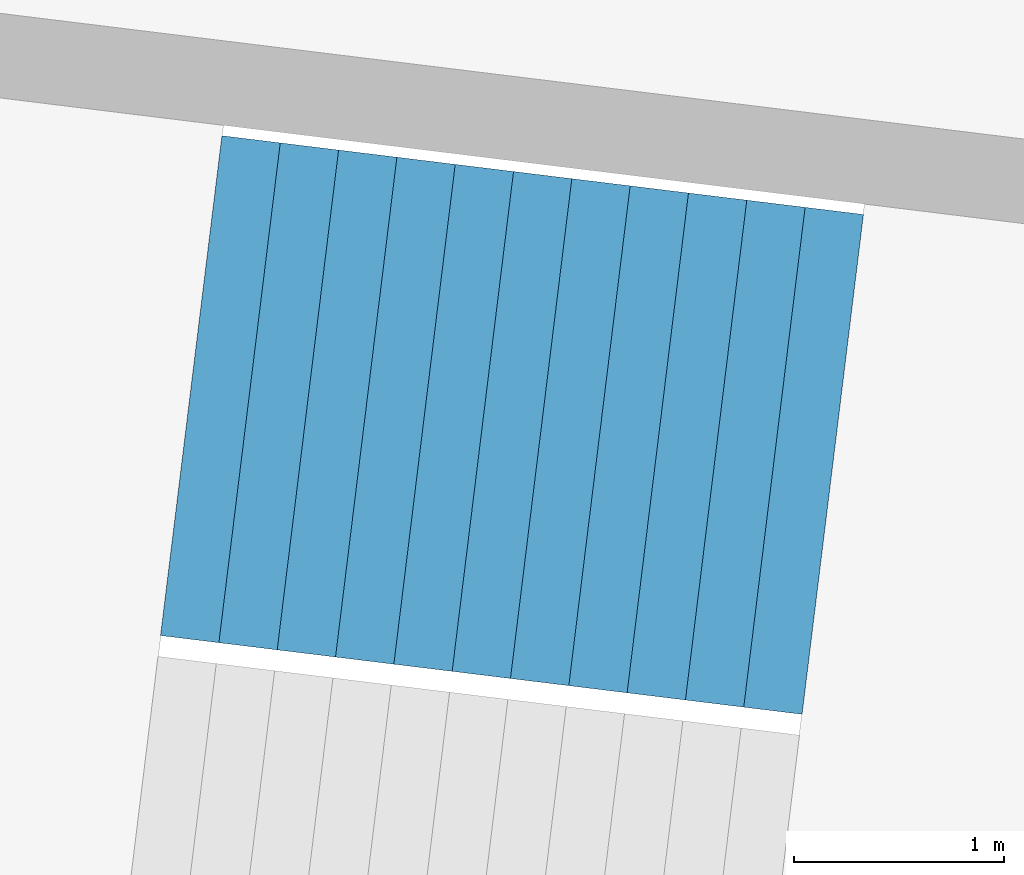
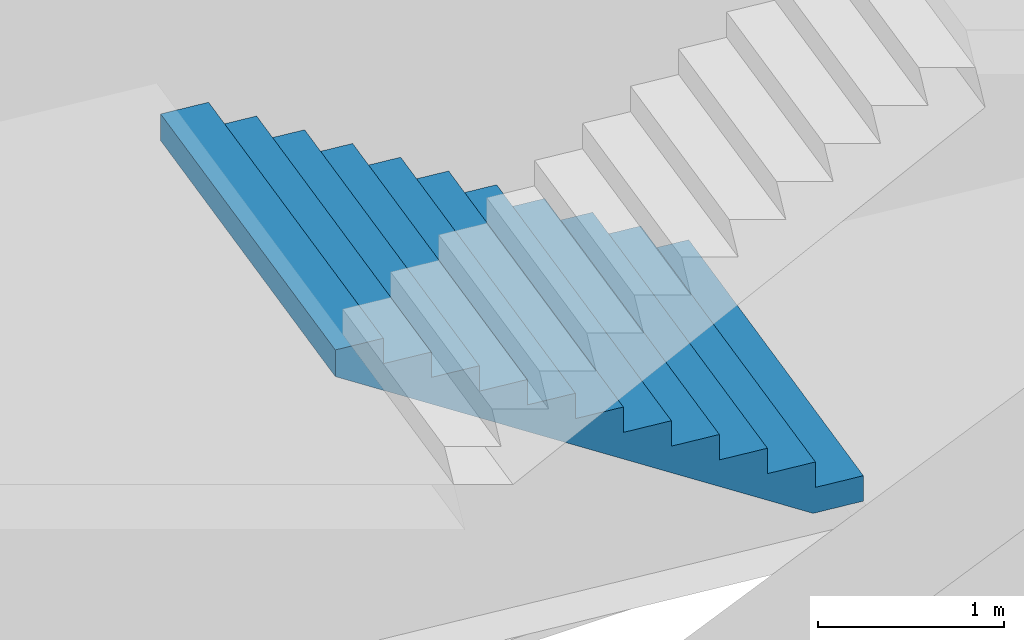
# One storey, part 56 of 74: 1 stair flight, 1 element without a shape of its own.
"""IFC4 building model written with IfcOpenShell, lengths in metres."""

from ifc_helpers import new_model, si_unit, direction, frame, origin, place, context, subcontext, project, spatial, triangles, material, type_object, element, aggregate, save


model = new_model("IFC4")

# Units and contexts
model_context = context("Model", 3, precision=1e-05, world=origin(), true_north=direction((0.0, 1.0)))
body_context = subcontext(model_context, "Body", "Model", "MODEL_VIEW")
ifc_project = project(units=[si_unit("LENGTHUNIT", "METRE"), si_unit("AREAUNIT", "SQUARE_METRE"), si_unit("VOLUMEUNIT", "CUBIC_METRE"), si_unit("PLANEANGLEUNIT", "RADIAN"), si_unit("MASSUNIT", "GRAM", prefix="KILO")], contexts=[model_context])

# Site, building, storey
site_placement = place(None, origin())
site = spatial("IfcSite", under=ifc_project, at=site_placement, CompositionType="ELEMENT")
building_placement = place(site_placement, origin())
building = spatial("IfcBuilding", under=site, at=building_placement, Name="Lantaw Convention Tower", CompositionType="ELEMENT")
storey_placement = place(building_placement, frame((0.0, 0.0, 6.5)))
storey = spatial("IfcBuildingStorey", under=building, at=storey_placement, Name="L01", CompositionType="ELEMENT", Elevation=6.5)

# Stair, stair flight
ifc_material = material(Name="Concrete C35/45", Category="concrete")
stair_type = type_object("IfcStairType", Name="Exit stair 2400 riser 166.67 in 4 flights", PredefinedType="HALF_TURN_STAIR", material=ifc_material)
stair_placement = place(storey_placement, origin())
stair = element("IfcStair", 1, at=stair_placement, inside=storey, type_object=stair_type, Name="Podium exit stair P13 L01", PredefinedType="HALF_TURN_STAIR")
stair_flight_type = type_object("IfcStairFlightType", Name="Stair flight 2400 riser 166.67", PredefinedType="STRAIGHT", material=ifc_material)
stair_flight_placement = place(storey_placement, frame((38.21923828125, -3.433349609375, 2.0), z_axis=(0.0, 0.0, 1.0), x_axis=(-0.992546151641, 0.121869343405, 0.0)))
stair_flight = element("IfcStairFlight", 2, at=stair_flight_placement, type_object=stair_flight_type, Name="P13 flight 2", NumberOfRisers=12, NumberOfTreads=11, PredefinedType="STRAIGHT", RiserHeight=0.166666667, TreadLength=0.28, context=body_context, shape_type="Tessellation", body=[
    triangles([(0.0, 1.199951171875, 0.0), (0.0, 1.199951171875, 0.166666667), (0.28, 1.199951171875, 0.0), (0.28, 1.199951171875, 0.166666667), (0.28, 1.199951171875, 0.333333334), (0.29307345806906726, 1.199951171875, 0.0), (0.29307345806906726, 1.199951171875, 0.333333334), (0.56, 1.199951171875, 0.15888484670522965), (0.56, 1.199951171875, 0.333333334), (0.56, 1.199951171875, 0.500000001), (0.8400000000000001, 1.199951171875, 0.3255515137052296), (0.8400000000000001, 1.199951171875, 0.500000001), (0.8400000000000001, 1.199951171875, 0.666666668), (1.12, 1.199951171875, 0.4922181807052296), (1.12, 1.199951171875, 0.666666668), (1.12, 1.199951171875, 0.833333335), (1.4000000000000001, 1.199951171875, 0.6588848477052296), (1.4000000000000001, 1.199951171875, 0.833333335), (1.4000000000000001, 1.199951171875, 1.000000002), (1.6800000000000002, 1.199951171875, 0.8255515147052296), (1.6800000000000002, 1.199951171875, 1.000000002), (1.6800000000000002, 1.199951171875, 1.166666669), (1.9600000000000002, 1.199951171875, 0.9922181817052296), (1.9600000000000002, 1.199951171875, 1.166666669), (1.9600000000000002, 1.199951171875, 1.333333336), (2.24, 1.199951171875, 1.1588848487052295), (2.24, 1.199951171875, 1.333333336), (2.24, 1.199951171875, 1.5000000029999998), (2.5200000000000005, 1.199951171875, 1.3255515157052296), (2.5200000000000005, 1.199951171875, 1.5000000029999998), (2.5200000000000005, 1.199951171875, 1.66666667), (2.8000000000000003, 1.199951171875, 1.4922181827052294), (2.8000000000000003, 1.199951171875, 1.66666667), (2.8000000000000003, 1.199951171875, 1.833333337), (3.08, 1.199951171875, 1.6588848497052293), (3.08, 1.199951171875, 1.833333337), (0.0, -1.199951171875, 0.0), (0.0, -1.199951171875, 0.166666667), (0.28, -1.199951171875, 0.0), (0.28, -1.199951171875, 0.166666667), (0.28, -1.199951171875, 0.333333334), (0.29307345806906726, -1.199951171875, 0.0), (0.29307345806906726, -1.199951171875, 0.333333334), (0.56, -1.199951171875, 0.15888484670522965), (0.56, -1.199951171875, 0.333333334), (0.56, -1.199951171875, 0.500000001), (0.8400000000000001, -1.199951171875, 0.3255515137052296), (0.8400000000000001, -1.199951171875, 0.500000001), (0.8400000000000001, -1.199951171875, 0.666666668), (1.12, -1.199951171875, 0.4922181807052296), (1.12, -1.199951171875, 0.666666668), (1.12, -1.199951171875, 0.833333335), (1.4000000000000001, -1.199951171875, 0.6588848477052296), (1.4000000000000001, -1.199951171875, 0.833333335), (1.4000000000000001, -1.199951171875, 1.000000002), (1.6800000000000002, -1.199951171875, 0.8255515147052296), (1.6800000000000002, -1.199951171875, 1.000000002), (1.6800000000000002, -1.199951171875, 1.166666669), (1.9600000000000002, -1.199951171875, 0.9922181817052296), (1.9600000000000002, -1.199951171875, 1.166666669), (1.9600000000000002, -1.199951171875, 1.333333336), (2.24, -1.199951171875, 1.1588848487052295), (2.24, -1.199951171875, 1.333333336), (2.24, -1.199951171875, 1.5000000029999998), (2.5200000000000005, -1.199951171875, 1.3255515157052296), (2.5200000000000005, -1.199951171875, 1.5000000029999998), (2.5200000000000005, -1.199951171875, 1.66666667), (2.8000000000000003, -1.199951171875, 1.4922181827052294), (2.8000000000000003, -1.199951171875, 1.66666667), (2.8000000000000003, -1.199951171875, 1.833333337), (3.08, -1.199951171875, 1.6588848497052293), (3.08, -1.199951171875, 1.833333337), (0.0, 0.239990234375, 0.166666667), (0.0, 0.239990234375, 0.0), (0.0, 0.1199951171875, 0.166666667), (0.0, 0.1199951171875, 0.0), (0.0, 0.0, 0.166666667), (0.0, 0.0, 0.0), (0.0, -0.1199951171875, 0.166666667), (0.0, -0.1199951171875, 0.0), (0.0, -0.239990234375, 0.166666667), (0.0, -0.239990234375, 0.0), (0.28, 0.239990234375, 0.333333334), (0.28, 0.239990234375, 0.166666667), (0.28, 0.1199951171875, 0.333333334), (0.28, 0.1199951171875, 0.166666667), (0.28, 0.0, 0.333333334), (0.28, 0.0, 0.166666667), (0.28, -0.1199951171875, 0.333333334), (0.28, -0.1199951171875, 0.166666667), (0.28, -0.239990234375, 0.333333334), (0.28, -0.239990234375, 0.166666667), (0.56, 0.239990234375, 0.500000001), (0.56, 0.239990234375, 0.333333334), (0.56, 0.1199951171875, 0.500000001), (0.56, 0.1199951171875, 0.333333334), (0.56, 0.0, 0.500000001), (0.56, 0.0, 0.333333334), (0.56, -0.1199951171875, 0.500000001), (0.56, -0.1199951171875, 0.333333334), (0.56, -0.239990234375, 0.500000001), (0.56, -0.239990234375, 0.333333334), (0.8400000000000001, 0.239990234375, 0.666666668), (0.8400000000000001, 0.239990234375, 0.500000001), (0.8400000000000001, 0.1199951171875, 0.666666668), (0.8400000000000001, 0.1199951171875, 0.500000001), (0.8400000000000001, 0.0, 0.666666668), (0.8400000000000001, 0.0, 0.500000001), (0.8400000000000001, -0.1199951171875, 0.666666668), (0.8400000000000001, -0.1199951171875, 0.500000001), (0.8400000000000001, -0.239990234375, 0.666666668), (0.8400000000000001, -0.239990234375, 0.500000001), (1.12, 0.239990234375, 0.833333335), (1.12, 0.239990234375, 0.666666668), (1.12, 0.1199951171875, 0.833333335), (1.12, 0.1199951171875, 0.666666668), (1.12, 0.0, 0.833333335), (1.12, 0.0, 0.666666668), (1.12, -0.1199951171875, 0.833333335), (1.12, -0.1199951171875, 0.666666668), (1.12, -0.239990234375, 0.833333335), (1.12, -0.239990234375, 0.666666668), (1.4000000000000001, 0.239990234375, 1.000000002), (1.4000000000000001, 0.239990234375, 0.833333335), (1.4000000000000001, 0.1199951171875, 1.000000002), (1.4000000000000001, 0.1199951171875, 0.833333335), (1.4000000000000001, 0.0, 1.000000002), (1.4000000000000001, 0.0, 0.833333335), (1.4000000000000001, -0.1199951171875, 1.000000002), (1.4000000000000001, -0.1199951171875, 0.833333335), (1.4000000000000001, -0.239990234375, 1.000000002), (1.4000000000000001, -0.239990234375, 0.833333335), (1.6800000000000002, 0.239990234375, 1.166666669), (1.6800000000000002, 0.239990234375, 1.000000002), (1.6800000000000002, 0.1199951171875, 1.166666669), (1.6800000000000002, 0.1199951171875, 1.000000002), (1.6800000000000002, 0.0, 1.166666669), (1.6800000000000002, 0.0, 1.000000002), (1.6800000000000002, -0.1199951171875, 1.166666669), (1.6800000000000002, -0.1199951171875, 1.000000002), (1.6800000000000002, -0.239990234375, 1.166666669), (1.6800000000000002, -0.239990234375, 1.000000002), (1.9600000000000002, 0.239990234375, 1.333333336), (1.9600000000000002, 0.239990234375, 1.166666669), (1.9600000000000002, 0.1199951171875, 1.333333336), (1.9600000000000002, 0.1199951171875, 1.166666669), (1.9600000000000002, 0.0, 1.333333336), (1.9600000000000002, 0.0, 1.166666669), (1.9600000000000002, -0.1199951171875, 1.333333336), (1.9600000000000002, -0.1199951171875, 1.166666669), (1.9600000000000002, -0.239990234375, 1.333333336), (1.9600000000000002, -0.239990234375, 1.166666669), (2.24, 0.239990234375, 1.5000000029999998), (2.24, 0.239990234375, 1.333333336), (2.24, 0.1199951171875, 1.5000000029999998), (2.24, 0.1199951171875, 1.333333336), (2.24, 0.0, 1.5000000029999998), (2.24, 0.0, 1.333333336), (2.24, -0.1199951171875, 1.5000000029999998), (2.24, -0.1199951171875, 1.333333336), (2.24, -0.239990234375, 1.5000000029999998), (2.24, -0.239990234375, 1.333333336), (2.5200000000000005, 0.239990234375, 1.66666667), (2.5200000000000005, 0.239990234375, 1.5000000029999998), (2.5200000000000005, 0.1199951171875, 1.66666667), (2.5200000000000005, 0.1199951171875, 1.5000000029999998), (2.5200000000000005, 0.0, 1.66666667), (2.5200000000000005, 0.0, 1.5000000029999998), (2.5200000000000005, -0.1199951171875, 1.66666667), (2.5200000000000005, -0.1199951171875, 1.5000000029999998), (2.5200000000000005, -0.239990234375, 1.66666667), (2.5200000000000005, -0.239990234375, 1.5000000029999998), (2.8000000000000003, 0.239990234375, 1.833333337), (2.8000000000000003, 0.239990234375, 1.66666667), (2.8000000000000003, 0.1199951171875, 1.833333337), (2.8000000000000003, 0.1199951171875, 1.66666667), (2.8000000000000003, 0.0, 1.833333337), (2.8000000000000003, 0.0, 1.66666667), (2.8000000000000003, -0.1199951171875, 1.833333337), (2.8000000000000003, -0.1199951171875, 1.66666667), (2.8000000000000003, -0.239990234375, 1.833333337), (2.8000000000000003, -0.239990234375, 1.66666667), (0.29307345806906726, 0.239990234375, 0.333333334), (0.29307345806906726, 0.1199951171875, 0.333333334), (0.29307345806906726, 0.0, 0.333333334), (0.29307345806906726, -0.1199951171875, 0.333333334), (0.29307345806906726, -0.239990234375, 0.333333334), (3.08, 0.239990234375, 1.833333337), (3.08, 0.1199951171875, 1.833333337), (3.08, 0.0, 1.833333337), (3.08, -0.1199951171875, 1.833333337), (3.08, -0.239990234375, 1.833333337), (3.08, 0.239990234375, 1.6588848497052293), (3.08, 0.1199951171875, 1.6588848497052293), (3.08, 0.0, 1.6588848497052293), (3.08, -0.1199951171875, 1.6588848497052293), (3.08, -0.239990234375, 1.6588848497052293), (2.8000000000000003, 0.239990234375, 1.4922181827052294), (2.8000000000000003, 0.1199951171875, 1.4922181827052294), (2.8000000000000003, 0.0, 1.4922181827052294), (2.8000000000000003, -0.1199951171875, 1.4922181827052294), (2.8000000000000003, -0.239990234375, 1.4922181827052294), (2.5200000000000005, 0.239990234375, 1.3255515157052296), (2.5200000000000005, 0.1199951171875, 1.3255515157052296), (2.5200000000000005, 0.0, 1.3255515157052296), (2.5200000000000005, -0.1199951171875, 1.3255515157052296), (2.5200000000000005, -0.239990234375, 1.3255515157052296), (2.24, 0.239990234375, 1.1588848487052295), (2.24, 0.1199951171875, 1.1588848487052295), (2.24, 0.0, 1.1588848487052295), (2.24, -0.1199951171875, 1.1588848487052295), (2.24, -0.239990234375, 1.1588848487052295), (1.9600000000000002, 0.239990234375, 0.9922181817052296), (1.9600000000000002, 0.1199951171875, 0.9922181817052296), (1.9600000000000002, 0.0, 0.9922181817052296), (1.9600000000000002, -0.1199951171875, 0.9922181817052296), (1.9600000000000002, -0.239990234375, 0.9922181817052296), (1.6800000000000002, 0.239990234375, 0.8255515147052296), (1.6800000000000002, 0.1199951171875, 0.8255515147052296), (1.6800000000000002, 0.0, 0.8255515147052296), (1.6800000000000002, -0.1199951171875, 0.8255515147052296), (1.6800000000000002, -0.239990234375, 0.8255515147052296), (1.4000000000000001, 0.239990234375, 0.6588848477052296), (1.4000000000000001, 0.1199951171875, 0.6588848477052296), (1.4000000000000001, 0.0, 0.6588848477052296), (1.4000000000000001, -0.1199951171875, 0.6588848477052296), (1.4000000000000001, -0.239990234375, 0.6588848477052296), (1.12, 0.239990234375, 0.4922181807052296), (1.12, 0.1199951171875, 0.4922181807052296), (1.12, 0.0, 0.4922181807052296), (1.12, -0.1199951171875, 0.4922181807052296), (1.12, -0.239990234375, 0.4922181807052296), (0.8400000000000001, 0.239990234375, 0.3255515137052296), (0.8400000000000001, 0.1199951171875, 0.3255515137052296), (0.8400000000000001, 0.0, 0.3255515137052296), (0.8400000000000001, -0.1199951171875, 0.3255515137052296), (0.8400000000000001, -0.239990234375, 0.3255515137052296), (0.56, 0.239990234375, 0.15888484670522965), (0.56, 0.1199951171875, 0.15888484670522965), (0.56, 0.0, 0.15888484670522965), (0.56, -0.1199951171875, 0.15888484670522965), (0.56, -0.239990234375, 0.15888484670522965), (0.29307345806906726, 0.239990234375, 0.0), (0.29307345806906726, 0.1199951171875, 0.0), (0.29307345806906726, 0.0, 0.0), (0.29307345806906726, -0.1199951171875, 0.0), (0.29307345806906726, -0.239990234375, 0.0), (0.28, 0.239990234375, 0.0), (0.28, 0.1199951171875, 0.0), (0.28, 0.0, 0.0), (0.28, -0.1199951171875, 0.0), (0.28, -0.239990234375, 0.0)], [[1, 4, 3], [1, 2, 4], [3, 4, 6], [4, 7, 6], [4, 5, 7], [6, 9, 8], [6, 7, 9], [8, 9, 11], [9, 12, 11], [9, 10, 12], [11, 12, 14], [12, 15, 14], [12, 13, 15], [14, 15, 17], [15, 18, 17], [15, 16, 18], [17, 18, 20], [18, 21, 20], [18, 19, 21], [20, 21, 23], [21, 24, 23], [21, 22, 24], [23, 24, 26], [24, 27, 26], [24, 25, 27], [26, 27, 29], [27, 30, 29], [27, 28, 30], [29, 30, 32], [30, 33, 32], [30, 31, 33], [32, 33, 35], [33, 36, 35], [33, 34, 36], [37, 39, 40], [37, 40, 38], [39, 42, 40], [40, 42, 43], [40, 43, 41], [42, 44, 45], [42, 45, 43], [44, 47, 45], [45, 47, 48], [45, 48, 46], [47, 50, 48], [48, 50, 51], [48, 51, 49], [50, 53, 51], [51, 53, 54], [51, 54, 52], [53, 56, 54], [54, 56, 57], [54, 57, 55], [56, 59, 57], [57, 59, 60], [57, 60, 58], [59, 62, 60], [60, 62, 63], [60, 63, 61], [62, 65, 63], [63, 65, 66], [63, 66, 64], [65, 68, 66], [66, 68, 69], [66, 69, 67], [68, 71, 69], [69, 71, 72], [69, 72, 70], [1, 73, 2], [1, 74, 73], [74, 75, 73], [74, 76, 75], [76, 77, 75], [76, 78, 77], [78, 79, 77], [78, 80, 79], [80, 81, 79], [80, 82, 81], [82, 38, 81], [82, 37, 38], [4, 83, 5], [4, 84, 83], [84, 85, 83], [84, 86, 85], [86, 87, 85], [86, 88, 87], [88, 89, 87], [88, 90, 89], [90, 91, 89], [90, 92, 91], [92, 41, 91], [92, 40, 41], [9, 93, 10], [9, 94, 93], [94, 95, 93], [94, 96, 95], [96, 97, 95], [96, 98, 97], [98, 99, 97], [98, 100, 99], [100, 101, 99], [100, 102, 101], [102, 46, 101], [102, 45, 46], [12, 103, 13], [12, 104, 103], [104, 105, 103], [104, 106, 105], [106, 107, 105], [106, 108, 107], [108, 109, 107], [108, 110, 109], [110, 111, 109], [110, 112, 111], [112, 49, 111], [112, 48, 49], [15, 113, 16], [15, 114, 113], [114, 115, 113], [114, 116, 115], [116, 117, 115], [116, 118, 117], [118, 119, 117], [118, 120, 119], [120, 121, 119], [120, 122, 121], [122, 52, 121], [122, 51, 52], [18, 123, 19], [18, 124, 123], [124, 125, 123], [124, 126, 125], [126, 127, 125], [126, 128, 127], [128, 129, 127], [128, 130, 129], [130, 131, 129], [130, 132, 131], [132, 55, 131], [132, 54, 55], [21, 133, 22], [21, 134, 133], [134, 135, 133], [134, 136, 135], [136, 137, 135], [136, 138, 137], [138, 139, 137], [138, 140, 139], [140, 141, 139], [140, 142, 141], [142, 58, 141], [142, 57, 58], [24, 143, 25], [24, 144, 143], [144, 145, 143], [144, 146, 145], [146, 147, 145], [146, 148, 147], [148, 149, 147], [148, 150, 149], [150, 151, 149], [150, 152, 151], [152, 61, 151], [152, 60, 61], [27, 153, 28], [27, 154, 153], [154, 155, 153], [154, 156, 155], [156, 157, 155], [156, 158, 157], [158, 159, 157], [158, 160, 159], [160, 161, 159], [160, 162, 161], [162, 64, 161], [162, 63, 64], [30, 163, 31], [30, 164, 163], [164, 165, 163], [164, 166, 165], [166, 167, 165], [166, 168, 167], [168, 169, 167], [168, 170, 169], [170, 171, 169], [170, 172, 171], [172, 67, 171], [172, 66, 67], [33, 173, 34], [33, 174, 173], [174, 175, 173], [174, 176, 175], [176, 177, 175], [176, 178, 177], [178, 179, 177], [178, 180, 179], [180, 181, 179], [180, 182, 181], [182, 70, 181], [182, 69, 70], [2, 84, 4], [2, 73, 84], [73, 86, 84], [73, 75, 86], [75, 88, 86], [75, 77, 88], [77, 90, 88], [77, 79, 90], [79, 92, 90], [79, 81, 92], [81, 40, 92], [81, 38, 40], [5, 183, 7], [5, 83, 183], [83, 184, 183], [83, 85, 184], [85, 185, 184], [85, 87, 185], [87, 186, 185], [87, 89, 186], [89, 187, 186], [89, 91, 187], [91, 43, 187], [91, 41, 43], [7, 94, 9], [7, 183, 94], [183, 96, 94], [183, 184, 96], [184, 98, 96], [184, 185, 98], [185, 100, 98], [185, 186, 100], [186, 102, 100], [186, 187, 102], [187, 45, 102], [187, 43, 45], [10, 104, 12], [10, 93, 104], [93, 106, 104], [93, 95, 106], [95, 108, 106], [95, 97, 108], [97, 110, 108], [97, 99, 110], [99, 112, 110], [99, 101, 112], [101, 48, 112], [101, 46, 48], [13, 114, 15], [13, 103, 114], [103, 116, 114], [103, 105, 116], [105, 118, 116], [105, 107, 118], [107, 120, 118], [107, 109, 120], [109, 122, 120], [109, 111, 122], [111, 51, 122], [111, 49, 51], [16, 124, 18], [16, 113, 124], [113, 126, 124], [113, 115, 126], [115, 128, 126], [115, 117, 128], [117, 130, 128], [117, 119, 130], [119, 132, 130], [119, 121, 132], [121, 54, 132], [121, 52, 54], [19, 134, 21], [19, 123, 134], [123, 136, 134], [123, 125, 136], [125, 138, 136], [125, 127, 138], [127, 140, 138], [127, 129, 140], [129, 142, 140], [129, 131, 142], [131, 57, 142], [131, 55, 57], [22, 144, 24], [22, 133, 144], [133, 146, 144], [133, 135, 146], [135, 148, 146], [135, 137, 148], [137, 150, 148], [137, 139, 150], [139, 152, 150], [139, 141, 152], [141, 60, 152], [141, 58, 60], [25, 154, 27], [25, 143, 154], [143, 156, 154], [143, 145, 156], [145, 158, 156], [145, 147, 158], [147, 160, 158], [147, 149, 160], [149, 162, 160], [149, 151, 162], [151, 63, 162], [151, 61, 63], [28, 164, 30], [28, 153, 164], [153, 166, 164], [153, 155, 166], [155, 168, 166], [155, 157, 168], [157, 170, 168], [157, 159, 170], [159, 172, 170], [159, 161, 172], [161, 66, 172], [161, 64, 66], [31, 174, 33], [31, 163, 174], [163, 176, 174], [163, 165, 176], [165, 178, 176], [165, 167, 178], [167, 180, 178], [167, 169, 180], [169, 182, 180], [169, 171, 182], [171, 69, 182], [171, 67, 69], [34, 188, 36], [34, 173, 188], [173, 189, 188], [173, 175, 189], [175, 190, 189], [175, 177, 190], [177, 191, 190], [177, 179, 191], [179, 192, 191], [179, 181, 192], [181, 72, 192], [181, 70, 72], [36, 193, 35], [36, 188, 193], [188, 194, 193], [188, 189, 194], [189, 195, 194], [189, 190, 195], [190, 196, 195], [190, 191, 196], [191, 197, 196], [191, 192, 197], [192, 71, 197], [192, 72, 71], [35, 198, 32], [35, 193, 198], [193, 199, 198], [193, 194, 199], [194, 200, 199], [194, 195, 200], [195, 201, 200], [195, 196, 201], [196, 202, 201], [196, 197, 202], [197, 68, 202], [197, 71, 68], [32, 203, 29], [32, 198, 203], [198, 204, 203], [198, 199, 204], [199, 205, 204], [199, 200, 205], [200, 206, 205], [200, 201, 206], [201, 207, 206], [201, 202, 207], [202, 65, 207], [202, 68, 65], [29, 208, 26], [29, 203, 208], [203, 209, 208], [203, 204, 209], [204, 210, 209], [204, 205, 210], [205, 211, 210], [205, 206, 211], [206, 212, 211], [206, 207, 212], [207, 62, 212], [207, 65, 62], [26, 213, 23], [26, 208, 213], [208, 214, 213], [208, 209, 214], [209, 215, 214], [209, 210, 215], [210, 216, 215], [210, 211, 216], [211, 217, 216], [211, 212, 217], [212, 59, 217], [212, 62, 59], [23, 218, 20], [23, 213, 218], [213, 219, 218], [213, 214, 219], [214, 220, 219], [214, 215, 220], [215, 221, 220], [215, 216, 221], [216, 222, 221], [216, 217, 222], [217, 56, 222], [217, 59, 56], [20, 223, 17], [20, 218, 223], [218, 224, 223], [218, 219, 224], [219, 225, 224], [219, 220, 225], [220, 226, 225], [220, 221, 226], [221, 227, 226], [221, 222, 227], [222, 53, 227], [222, 56, 53], [17, 228, 14], [17, 223, 228], [223, 229, 228], [223, 224, 229], [224, 230, 229], [224, 225, 230], [225, 231, 230], [225, 226, 231], [226, 232, 231], [226, 227, 232], [227, 50, 232], [227, 53, 50], [14, 233, 11], [14, 228, 233], [228, 234, 233], [228, 229, 234], [229, 235, 234], [229, 230, 235], [230, 236, 235], [230, 231, 236], [231, 237, 236], [231, 232, 237], [232, 47, 237], [232, 50, 47], [11, 238, 8], [11, 233, 238], [233, 239, 238], [233, 234, 239], [234, 240, 239], [234, 235, 240], [235, 241, 240], [235, 236, 241], [236, 242, 241], [236, 237, 242], [237, 44, 242], [237, 47, 44], [8, 243, 6], [8, 238, 243], [238, 244, 243], [238, 239, 244], [239, 245, 244], [239, 240, 245], [240, 246, 245], [240, 241, 246], [241, 247, 246], [241, 242, 247], [242, 42, 247], [242, 44, 42], [6, 248, 3], [6, 243, 248], [243, 249, 248], [243, 244, 249], [244, 250, 249], [244, 245, 250], [245, 251, 250], [245, 246, 251], [246, 252, 251], [246, 247, 252], [247, 39, 252], [247, 42, 39], [3, 74, 1], [3, 248, 74], [248, 76, 74], [248, 249, 76], [249, 78, 76], [249, 250, 78], [250, 80, 78], [250, 251, 80], [251, 82, 80], [251, 252, 82], [252, 37, 82], [252, 39, 37]], closed=True),
])
aggregate(stair, [stair_flight])

save(model, "model.ifc")
